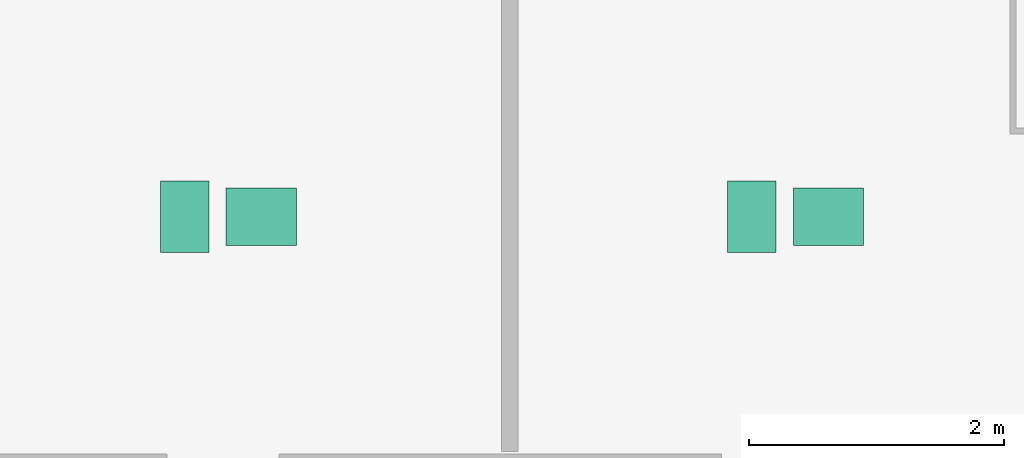
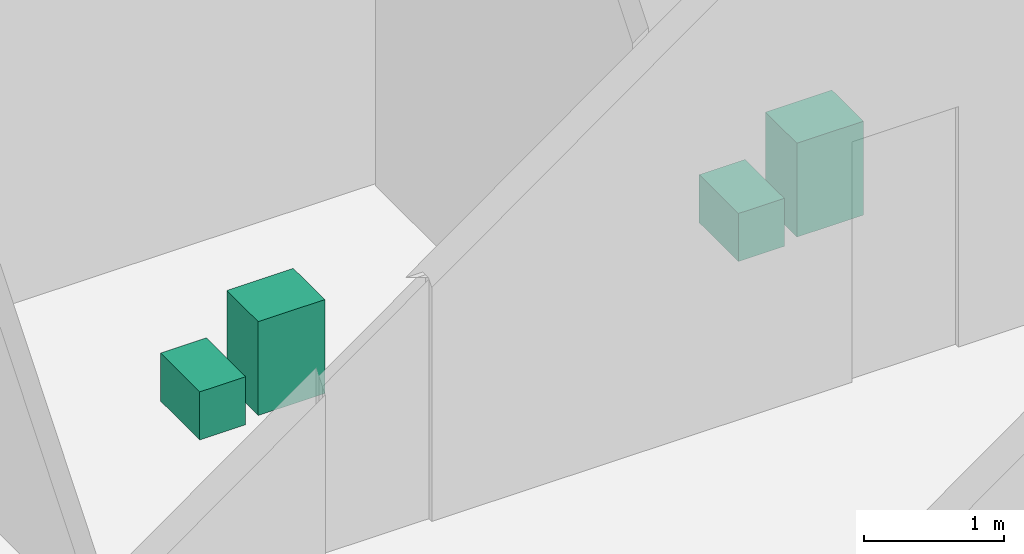
# One storey, part 27 of 27: 4 sanitary terminals.
"""IFC4 building model written with IfcOpenShell, lengths in metres."""

from ifc_helpers import new_model, si_unit, direction, frame, origin, origin_2d, place, context, subcontext, project, spatial, rectangle, extrude, source, transform, mapped, material, type_object, type_shapes, element, save


model = new_model("IFC4")

# Units and contexts
model_context = context("Model", 3, precision=1e-05, world=origin(), true_north=direction((0.0, 1.0)))
body_context = subcontext(model_context, "Body", "Model", "MODEL_VIEW")
ifc_project = project(units=[si_unit("LENGTHUNIT", "METRE"), si_unit("AREAUNIT", "SQUARE_METRE"), si_unit("VOLUMEUNIT", "CUBIC_METRE"), si_unit("PLANEANGLEUNIT", "RADIAN"), si_unit("MASSUNIT", "GRAM", prefix="KILO")], contexts=[model_context])

# Site, building, storey
site_placement = place(None, origin())
site = spatial("IfcSite", under=ifc_project, at=site_placement, CompositionType="ELEMENT")
building_placement = place(site_placement, origin())
building = spatial("IfcBuilding", under=site, at=building_placement, Name="Seokmaru Belvedere", CompositionType="ELEMENT")
storey_placement = place(building_placement, frame((0.0, 0.0, 9.89990234375)))
storey = spatial("IfcBuildingStorey", under=building, at=storey_placement, Name="L02", CompositionType="ELEMENT", Elevation=9.89990234375)

# Sanitary terminals
ifc_material = material(Name="Vitreous China Sanitaryware")
sanitary_terminal_type_1 = type_object("IfcSanitaryTerminalType", Name="Wall-Hung Vitreous China WC Pan", PredefinedType="TOILETPAN", material=ifc_material)
shared_shape_1 = source(origin(), body_context, "Body", "SweptSolid", [
    extrude(rectangle(XDim=0.3798828125, YDim=0.56005859375, at=origin_2d()), origin(), (0.0, 0.0, 1.0), 0.419921875),
])
type_shapes(sanitary_terminal_type_1, [shared_shape_1])
for number, where, z_axis, x_axis, name in (
    (1, (20.449951171875, 3.27490234375, 0.000244140625), (0.0, 0.0, 1.0), (1.0, 0.0, 0.0), "L02 Vitreous China WC 0008"),
    (2, (24.89990234375, 3.27490234375, 0.000244140625), (0.0, 0.0, 1.0), (1.0, 0.0, 0.0), "L02 Vitreous China WC 0009"),
):
    element("IfcSanitaryTerminal", number, at=place(storey_placement, frame(where, z_axis=z_axis, x_axis=x_axis)), inside=storey, type_object=sanitary_terminal_type_1, Name=name, PredefinedType="TOILETPAN", context=body_context, shape_type="MappedRepresentation", body=[
        mapped(shared_shape_1, transform((0.0, 0.0, 0.0), scale=1.0)),
    ])
sanitary_terminal_type_2 = type_object("IfcSanitaryTerminalType", Name="Countertop Ceramic Washhand Basin", PredefinedType="WASHHANDBASIN", material=ifc_material)
shared_shape_2 = source(origin(), body_context, "Body", "SweptSolid", [
    extrude(rectangle(XDim=0.550048828125, YDim=0.449951171875, at=origin_2d()), origin(), (0.0, 0.0, 1.0), 0.820068359375),
])
type_shapes(sanitary_terminal_type_2, [shared_shape_2])
for number, where, z_axis, x_axis, name in (
    (3, (21.050048828125, 3.27490234375, 0.0), (0.0, 0.0, 1.0), (1.0, 0.0, 0.0), "L02 Ceramic Washhand Basin 0008"),
    (4, (25.5, 3.27490234375, 0.0), (0.0, 0.0, 1.0), (1.0, 0.0, 0.0), "L02 Ceramic Washhand Basin 0009"),
):
    element("IfcSanitaryTerminal", number, at=place(storey_placement, frame(where, z_axis=z_axis, x_axis=x_axis)), inside=storey, type_object=sanitary_terminal_type_2, Name=name, PredefinedType="WASHHANDBASIN", context=body_context, shape_type="MappedRepresentation", body=[
        mapped(shared_shape_2, transform((0.0, 0.0, 0.0), scale=1.0)),
    ])

save(model, "model.ifc")
